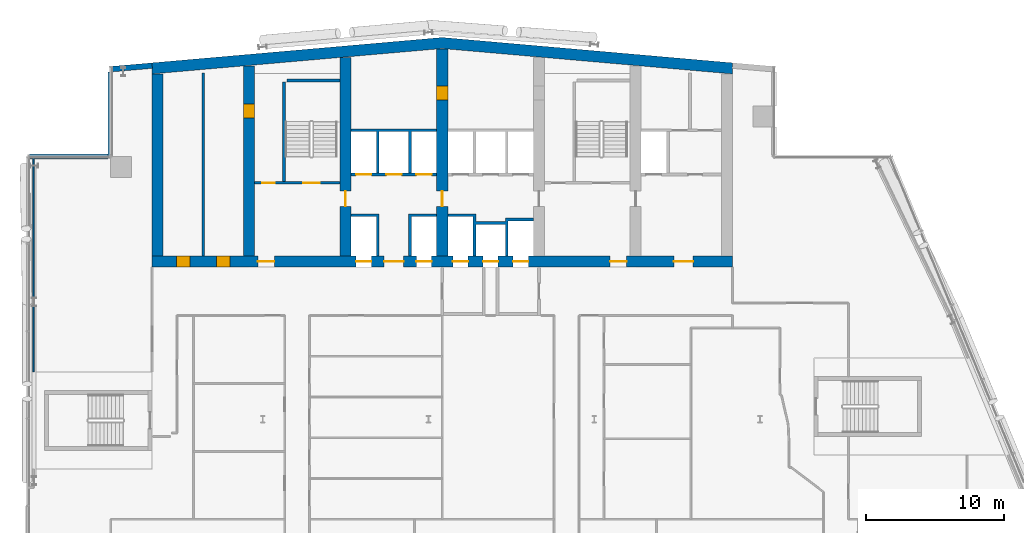
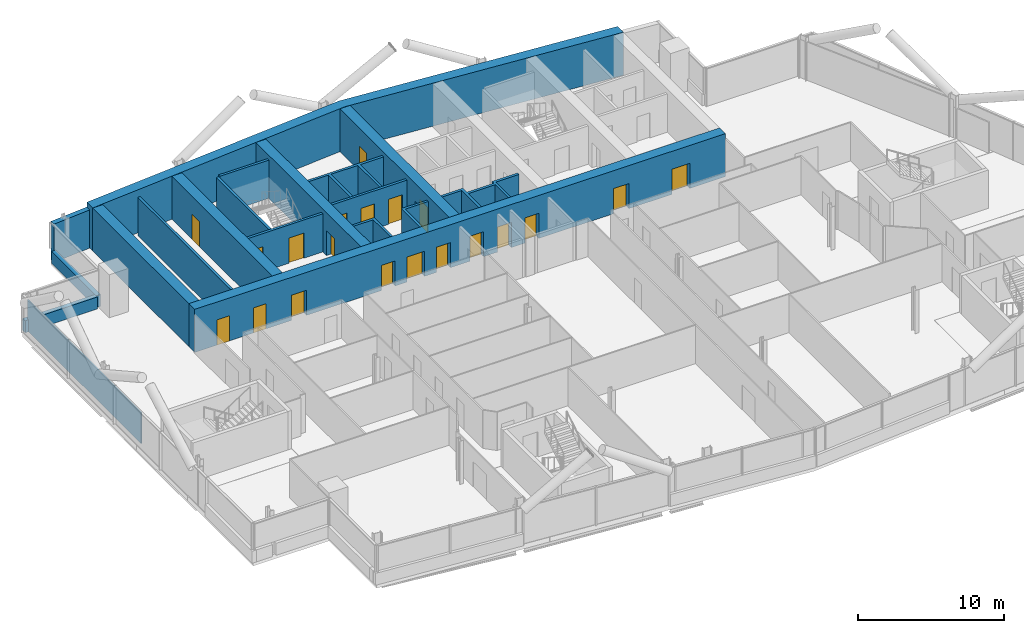
# One storey, part 18 of 26: 20 doors, 19 walls, 20 openings.
"""IFC4 building model written with IfcOpenShell, lengths in metres."""

from ifc_helpers import new_model, si_unit, direction, frame, frame_2d, origin, place, context, subcontext, project, spatial, polyline, rectangle, outline, extrude, material, layer, layer_set, type_object, element, fill, save


model = new_model("IFC4")

# Units and contexts
model_context = context("Model", 3, precision=1e-05, world=origin(), true_north=direction((0.0, 1.0)))
body_context = subcontext(model_context, "Body", "Model", "MODEL_VIEW")
ifc_project = project(units=[si_unit("LENGTHUNIT", "METRE"), si_unit("AREAUNIT", "SQUARE_METRE"), si_unit("VOLUMEUNIT", "CUBIC_METRE"), si_unit("PLANEANGLEUNIT", "RADIAN"), si_unit("MASSUNIT", "GRAM", prefix="KILO")], contexts=[model_context])

# Site, building, storey
site_placement = place(None, origin())
site = spatial("IfcSite", under=ifc_project, at=site_placement, CompositionType="ELEMENT")
building_placement = place(site_placement, origin())
building = spatial("IfcBuilding", under=site, at=building_placement, Name="Wharfspan Tower", CompositionType="ELEMENT")
storey_placement = place(building_placement, frame((0.0, 0.0, 169.899902)))
storey = spatial("IfcBuildingStorey", under=building, at=storey_placement, Name="L41", CompositionType="ELEMENT", Elevation=169.899902)

# Walls
ifc_material_1 = material(Name="Calcium silicate masonry", Category="masonry")
ifc_layer_1 = layer(ifc_material_1, 0.199951)
ifc_layer_set_1 = layer_set([ifc_layer_1], Name="Calcium silicate masonry")
wall_type_1 = type_object("IfcWallType", Name="Core room wall 200", PredefinedType="PARTITIONING", material=ifc_layer_set_1)
wall_1_placement = place(storey_placement, frame((19.699951, 34.800049, 0.0), z_axis=(0.0, 0.0, 1.0), x_axis=(0.0, 1.0, 0.0)))
element("IfcWall", 1, at=wall_1_placement, inside=storey, type_object=wall_type_1, Name="sw:L41:RM1", PredefinedType="PARTITIONING", context=body_context, shape_type="SweptSolid", body=[
    extrude(rectangle(XDim=13.234131, YDim=0.199951, at=frame_2d((6.617188, 0.0))), origin(), (0.0, 0.0, 1.0), 3.200195),
])
ifc_material_2 = material(Name="Concrete C60/75", Category="concrete")
ifc_layer_2 = layer(ifc_material_2, 0.800049)
ifc_layer_set_2 = layer_set([ifc_layer_2], Name="Concrete C60/75")
wall_type_2 = type_object("IfcWallType", Name="Core wall 800 C60/75", PredefinedType="SHEAR", material=ifc_layer_set_2)
wall_2_placement = place(storey_placement, origin())
element("IfcWall", 2, at=wall_2_placement, inside=storey, type_object=wall_type_2, Name="Core rear wall L41", PredefinedType="SHEAR", context=body_context, shape_type="SweptSolid", body=[
    extrude(outline(polyline([(16.0, 47.984375), (37.0, 49.821533), (58.0, 47.984375), (58.0, 48.787354), (37.0, 50.624756), (16.0, 48.787354), (16.0, 47.984375)])), origin(), (0.0, 0.0, 1.0), 3.600098),
])

# Wall, openings, doors
wall_3_placement = place(storey_placement, frame((16.0, 34.399902, 0.0), z_axis=(0.0, 0.0, 1.0), x_axis=(1.0, 0.0, 0.0)))
wall_3 = element("IfcWall", 3, at=wall_3_placement, inside=storey, type_object=wall_type_2, Name="Core front wall L41", PredefinedType="SHEAR", context=body_context, shape_type="SweptSolid", body=[
    extrude(rectangle(XDim=42.0, YDim=0.800049, at=frame_2d((21.0, 0.0))), origin(), (0.0, 0.0, 1.0), 3.600098),
])
opening_1_placement = place(wall_3_placement, frame((1.75, 0.0, 0.0)))
opening_1 = element("IfcOpeningElement", 4, at=opening_1_placement, cuts=wall_3, Name="Opening CD41.11", PredefinedType="OPENING", context=body_context, shape_type="SweptSolid", body=[
    extrude(rectangle(XDim=1.0, YDim=2.100098, at=frame_2d((0.5, 1.050049))), frame((0.0, 0.409912, 0.0), z_axis=(0.0, -1.0, 0.0), x_axis=(1.0, 0.0, 0.0)), (0.0, 0.0, 1.0), 0.820068),
])
opening_2_placement = place(wall_3_placement, frame((4.649902, 0.0, 0.0)))
opening_2 = element("IfcOpeningElement", 5, at=opening_2_placement, cuts=wall_3, Name="Opening CD41.12", PredefinedType="OPENING", context=body_context, shape_type="SweptSolid", body=[
    extrude(rectangle(XDim=1.0, YDim=2.100098, at=frame_2d((0.5, 1.050049))), frame((0.0, 0.409912, 0.0), z_axis=(0.0, -1.0, 0.0), x_axis=(1.0, 0.0, 0.0)), (0.0, 0.0, 1.0), 0.820068),
])
opening_3_placement = place(wall_3_placement, frame((7.649902, 0.0, 0.0)))
opening_3 = element("IfcOpeningElement", 6, at=opening_3_placement, cuts=wall_3, Name="Opening SV2.L41", PredefinedType="OPENING", context=body_context, shape_type="SweptSolid", body=[
    extrude(rectangle(XDim=1.199951, YDim=2.100098, at=frame_2d((0.600098, 1.050049))), frame((0.0, 0.409912, 0.0), z_axis=(0.0, -1.0, 0.0), x_axis=(1.0, 0.0, 0.0)), (0.0, 0.0, 1.0), 0.820068),
])
opening_4_placement = place(wall_3_placement, frame((14.766602, 0.0, 0.0)))
opening_4 = element("IfcOpeningElement", 7, at=opening_4_placement, cuts=wall_3, Name="Opening LD.SL1.L41", PredefinedType="OPENING", context=body_context, shape_type="SweptSolid", body=[
    extrude(rectangle(XDim=1.100098, YDim=2.100098, at=frame_2d((0.550049, 1.050049))), frame((0.0, 0.409912, 0.0), z_axis=(0.0, -1.0, 0.0), x_axis=(1.0, 0.0, 0.0)), (0.0, 0.0, 1.0), 0.820068),
])
opening_5_placement = place(wall_3_placement, frame((19.133301, 0.0, 0.0)))
opening_5 = element("IfcOpeningElement", 8, at=opening_5_placement, cuts=wall_3, Name="Opening LD.SL2.L41", PredefinedType="OPENING", context=body_context, shape_type="SweptSolid", body=[
    extrude(rectangle(XDim=1.100098, YDim=2.100098, at=frame_2d((0.550049, 1.050049))), frame((0.0, 0.409912, 0.0), z_axis=(0.0, -1.0, 0.0), x_axis=(1.0, 0.0, 0.0)), (0.0, 0.0, 1.0), 0.820068),
])
opening_6_placement = place(wall_3_placement, frame((16.800049, 0.0, 0.0)))
opening_6 = element("IfcOpeningElement", 9, at=opening_6_placement, cuts=wall_3, Name="Opening HD41.3", PredefinedType="OPENING", context=body_context, shape_type="SweptSolid", body=[
    extrude(rectangle(XDim=1.399902, YDim=2.100098, at=frame_2d((0.699951, 1.050049))), frame((0.0, 0.409912, 0.0), z_axis=(0.0, -1.0, 0.0), x_axis=(1.0, 0.0, 0.0)), (0.0, 0.0, 1.0), 0.820068),
])
opening_7_placement = place(wall_3_placement, frame((21.766602, 0.0, 0.0)))
opening_7 = element("IfcOpeningElement", 10, at=opening_7_placement, cuts=wall_3, Name="Opening LD.FF1.L41", PredefinedType="OPENING", context=body_context, shape_type="SweptSolid", body=[
    extrude(rectangle(XDim=1.100098, YDim=2.100098, at=frame_2d((0.550049, 1.050049))), frame((0.0, 0.409912, 0.0), z_axis=(0.0, -1.0, 0.0), x_axis=(1.0, 0.0, 0.0)), (0.0, 0.0, 1.0), 0.820068),
])
opening_8_placement = place(wall_3_placement, frame((23.949951, 0.0, 0.0)))
opening_8 = element("IfcOpeningElement", 11, at=opening_8_placement, cuts=wall_3, Name="Opening LD.LB7.L41", PredefinedType="OPENING", context=body_context, shape_type="SweptSolid", body=[
    extrude(rectangle(XDim=1.100098, YDim=2.100098, at=frame_2d((0.550049, 1.050049))), frame((0.0, 0.409912, 0.0), z_axis=(0.0, -1.0, 0.0), x_axis=(1.0, 0.0, 0.0)), (0.0, 0.0, 1.0), 0.820068),
])
opening_9_placement = place(wall_3_placement, frame((26.133301, 0.0, 0.0)))
opening_9 = element("IfcOpeningElement", 12, at=opening_9_placement, cuts=wall_3, Name="Opening LD.FF2.L41", PredefinedType="OPENING", context=body_context, shape_type="SweptSolid", body=[
    extrude(rectangle(XDim=1.100098, YDim=2.100098, at=frame_2d((0.550049, 1.050049))), frame((0.0, 0.409912, 0.0), z_axis=(0.0, -1.0, 0.0), x_axis=(1.0, 0.0, 0.0)), (0.0, 0.0, 1.0), 0.820068),
])
opening_10_placement = place(wall_3_placement, frame((33.149902, 0.0, 0.0)))
opening_10 = element("IfcOpeningElement", 13, at=opening_10_placement, cuts=wall_3, Name="Opening SV5.L41", PredefinedType="OPENING", context=body_context, shape_type="SweptSolid", body=[
    extrude(rectangle(XDim=1.199951, YDim=2.100098, at=frame_2d((0.600098, 1.050049))), frame((0.0, 0.409912, 0.0), z_axis=(0.0, -1.0, 0.0), x_axis=(1.0, 0.0, 0.0)), (0.0, 0.0, 1.0), 0.820068),
])
opening_11_placement = place(wall_3_placement, frame((37.766602, 0.0, 0.0)))
opening_11 = element("IfcOpeningElement", 14, at=opening_11_placement, cuts=wall_3, Name="Opening HD41.6", PredefinedType="OPENING", context=body_context, shape_type="SweptSolid", body=[
    extrude(rectangle(XDim=1.399902, YDim=2.100098, at=frame_2d((0.699951, 1.050049))), frame((0.0, 0.409912, 0.0), z_axis=(0.0, -1.0, 0.0), x_axis=(1.0, 0.0, 0.0)), (0.0, 0.0, 1.0), 0.820068),
])
ifc_material_3 = material(Name="Steel door leaf", Category="steel")
door_type_1 = type_object("IfcDoorType", Name="Core room door 1000x2100", OperationType="SINGLE_SWING_LEFT", PredefinedType="DOOR", material=ifc_material_3)
door_1_placement = place(opening_1_placement, origin())
door_1 = element("IfcDoor", 15, at=door_1_placement, inside=storey, type_object=door_type_1, Name="d:L41:1:rf", OperationType="SINGLE_SWING_LEFT", OverallHeight=2.100098, OverallWidth=1.0, PredefinedType="DOOR", context=body_context, shape_type="SweptSolid", body=[
    extrude(rectangle(XDim=1.0, YDim=2.100098, at=frame_2d((0.5, 1.050049))), frame((0.0, 0.399902, 0.0), z_axis=(0.0, -1.0, 0.0), x_axis=(1.0, 0.0, 0.0)), (0.0, 0.0, 1.0), 0.799561),
])
fill(opening_1, door_1)
door_2_placement = place(opening_2_placement, origin())
door_2 = element("IfcDoor", 16, at=door_2_placement, inside=storey, type_object=door_type_1, Name="d:L41:1:rr", OperationType="SINGLE_SWING_RIGHT", OverallHeight=2.100098, OverallWidth=1.0, PredefinedType="DOOR", context=body_context, shape_type="SweptSolid", body=[
    extrude(rectangle(XDim=1.0, YDim=2.100098, at=frame_2d((0.5, 1.050049))), frame((0.0, 0.399902, 0.0), z_axis=(0.0, -1.0, 0.0), x_axis=(1.0, 0.0, 0.0)), (0.0, 0.0, 1.0), 0.799561),
])
fill(opening_2, door_2)
door_type_2 = type_object("IfcDoorType", Name="Hall entry door 1400x2100", OperationType="DOUBLE_DOOR_SINGLE_SWING", PredefinedType="DOOR", material=ifc_material_3)
door_3_placement = place(opening_6_placement, origin())
door_3 = element("IfcDoor", 17, at=door_3_placement, inside=storey, type_object=door_type_2, Name="d:L41:3:hd3", OperationType="DOUBLE_DOOR_SINGLE_SWING", OverallHeight=2.100098, OverallWidth=1.399902, PredefinedType="DOOR", context=body_context, shape_type="SweptSolid", body=[
    extrude(rectangle(XDim=1.399902, YDim=2.100098, at=frame_2d((0.699951, 1.050049))), frame((0.0, 0.024902, 0.0), z_axis=(0.0, -1.0, 0.0), x_axis=(1.0, 0.0, 0.0)), (0.0, 0.0, 1.0), 0.050049),
])
fill(opening_6, door_3)
door_4_placement = place(opening_11_placement, origin())
door_4 = element("IfcDoor", 18, at=door_4_placement, inside=storey, type_object=door_type_2, Name="d:L41:6:hd6", OperationType="DOUBLE_DOOR_SINGLE_SWING", OverallHeight=2.100098, OverallWidth=1.399902, PredefinedType="DOOR", context=body_context, shape_type="SweptSolid", body=[
    extrude(rectangle(XDim=1.399902, YDim=2.100098, at=frame_2d((0.699951, 1.050049))), frame((0.0, 0.024902, 0.0), z_axis=(0.0, -1.0, 0.0), x_axis=(1.0, 0.0, 0.0)), (0.0, 0.0, 1.0), 0.050049),
])
fill(opening_11, door_4)
ifc_material_4 = material(Name="Stainless steel", Category="steel")
door_type_3 = type_object("IfcDoorType", Name="Lift landing door 1100x2100", OperationType="DOUBLE_DOOR_SLIDING", PredefinedType="DOOR", material=ifc_material_4)
door_5_placement = place(opening_4_placement, origin())
door_5 = element("IfcDoor", 19, at=door_5_placement, inside=storey, type_object=door_type_3, Name="Landing door SL1 L41", OperationType="DOUBLE_DOOR_SLIDING", OverallHeight=2.100098, OverallWidth=1.100098, PredefinedType="DOOR", context=body_context, shape_type="SweptSolid", body=[
    extrude(rectangle(XDim=1.100098, YDim=2.100098, at=frame_2d((0.550049, 1.050049))), frame((0.0, 0.024902, 0.0), z_axis=(0.0, -1.0, 0.0), x_axis=(1.0, 0.0, 0.0)), (0.0, 0.0, 1.0), 0.050049),
])
fill(opening_4, door_5)
door_6_placement = place(opening_5_placement, origin())
door_6 = element("IfcDoor", 20, at=door_6_placement, inside=storey, type_object=door_type_3, Name="Landing door SL2 L41", OperationType="DOUBLE_DOOR_SLIDING", OverallHeight=2.100098, OverallWidth=1.100098, PredefinedType="DOOR", context=body_context, shape_type="SweptSolid", body=[
    extrude(rectangle(XDim=1.100098, YDim=2.100098, at=frame_2d((0.550049, 1.050049))), frame((0.0, 0.024902, 0.0), z_axis=(0.0, -1.0, 0.0), x_axis=(1.0, 0.0, 0.0)), (0.0, 0.0, 1.0), 0.050049),
])
fill(opening_5, door_6)
door_7_placement = place(opening_7_placement, origin())
door_7 = element("IfcDoor", 21, at=door_7_placement, inside=storey, type_object=door_type_3, Name="Landing door FF1 L41", OperationType="DOUBLE_DOOR_SLIDING", OverallHeight=2.100098, OverallWidth=1.100098, PredefinedType="DOOR", context=body_context, shape_type="SweptSolid", body=[
    extrude(rectangle(XDim=1.100098, YDim=2.100098, at=frame_2d((0.550049, 1.050049))), frame((0.0, 0.024902, 0.0), z_axis=(0.0, -1.0, 0.0), x_axis=(1.0, 0.0, 0.0)), (0.0, 0.0, 1.0), 0.050049),
])
fill(opening_7, door_7)
door_8_placement = place(opening_8_placement, origin())
door_8 = element("IfcDoor", 22, at=door_8_placement, inside=storey, type_object=door_type_3, Name="Landing door LB7 L41", OperationType="DOUBLE_DOOR_SLIDING", OverallHeight=2.100098, OverallWidth=1.100098, PredefinedType="DOOR", context=body_context, shape_type="SweptSolid", body=[
    extrude(rectangle(XDim=1.100098, YDim=2.100098, at=frame_2d((0.550049, 1.050049))), frame((0.0, 0.024902, 0.0), z_axis=(0.0, -1.0, 0.0), x_axis=(1.0, 0.0, 0.0)), (0.0, 0.0, 1.0), 0.050049),
])
fill(opening_8, door_8)
door_9_placement = place(opening_9_placement, origin())
door_9 = element("IfcDoor", 23, at=door_9_placement, inside=storey, type_object=door_type_3, Name="Landing door FF2 L41", OperationType="DOUBLE_DOOR_SLIDING", OverallHeight=2.100098, OverallWidth=1.100098, PredefinedType="DOOR", context=body_context, shape_type="SweptSolid", body=[
    extrude(rectangle(XDim=1.100098, YDim=2.100098, at=frame_2d((0.550049, 1.050049))), frame((0.0, 0.024902, 0.0), z_axis=(0.0, -1.0, 0.0), x_axis=(1.0, 0.0, 0.0)), (0.0, 0.0, 1.0), 0.050049),
])
fill(opening_9, door_9)
door_type_4 = type_object("IfcDoorType", Name="Stair door 1200x2100", OperationType="SINGLE_SWING_LEFT", PredefinedType="DOOR", material=ifc_material_3)
door_10_placement = place(opening_3_placement, origin())
door_10 = element("IfcDoor", 24, at=door_10_placement, inside=storey, type_object=door_type_4, Name="vd:L41:2", OperationType="SINGLE_SWING_LEFT", OverallHeight=2.100098, OverallWidth=1.199951, PredefinedType="DOOR", context=body_context, shape_type="SweptSolid", body=[
    extrude(rectangle(XDim=1.199951, YDim=2.100098, at=frame_2d((0.600098, 1.050049))), frame((0.0, 0.024902, 0.0), z_axis=(0.0, -1.0, 0.0), x_axis=(1.0, 0.0, 0.0)), (0.0, 0.0, 1.0), 0.050049),
])
fill(opening_3, door_10)
door_11_placement = place(opening_10_placement, origin())
door_11 = element("IfcDoor", 25, at=door_11_placement, inside=storey, type_object=door_type_4, Name="vd:L41:5", OperationType="SINGLE_SWING_LEFT", OverallHeight=2.100098, OverallWidth=1.199951, PredefinedType="DOOR", context=body_context, shape_type="SweptSolid", body=[
    extrude(rectangle(XDim=1.199951, YDim=2.100098, at=frame_2d((0.600098, 1.050049))), frame((0.0, 0.024902, 0.0), z_axis=(0.0, -1.0, 0.0), x_axis=(1.0, 0.0, 0.0)), (0.0, 0.0, 1.0), 0.050049),
])
fill(opening_10, door_11)

# Wall
wall_4_placement = place(storey_placement, frame((16.399902, 34.800049, 0.0), z_axis=(0.0, 0.0, 1.0), x_axis=(0.0, 1.0, 0.0)))
element("IfcWall", 26, at=wall_4_placement, inside=storey, type_object=wall_type_2, Name="Core cross wall EW0 L41", PredefinedType="SHEAR", context=body_context, shape_type="SweptSolid", body=[
    extrude(rectangle(XDim=13.184326, YDim=0.800049, at=frame_2d((6.592285, 0.0))), origin(), (0.0, 0.0, 1.0), 3.600098),
])

# Wall, opening, door
wall_5_placement = place(storey_placement, frame((23.0, 34.800049, 0.0), z_axis=(0.0, 0.0, 1.0), x_axis=(0.0, 1.0, 0.0)))
wall_5 = element("IfcWall", 27, at=wall_5_placement, inside=storey, type_object=wall_type_2, Name="Core cross wall X2 L41", PredefinedType="SHEAR", context=body_context, shape_type="SweptSolid", body=[
    extrude(rectangle(XDim=13.761719, YDim=0.800049, at=frame_2d((6.880859, 0.0))), origin(), (0.0, 0.0, 1.0), 3.600098),
])
opening_12_placement = place(wall_5_placement, frame((10.0, 0.0, 0.0)))
opening_12 = element("IfcOpeningElement", 28, at=opening_12_placement, cuts=wall_5, Name="Opening CR41.2", PredefinedType="OPENING", context=body_context, shape_type="SweptSolid", body=[
    extrude(rectangle(XDim=1.0, YDim=2.100098, at=frame_2d((0.5, 1.050049))), frame((0.0, 0.409912, 0.0), z_axis=(0.0, -1.0, 0.0), x_axis=(1.0, 0.0, 0.0)), (0.0, 0.0, 1.0), 0.820068),
])
door_12_placement = place(opening_12_placement, origin())
door_12 = element("IfcDoor", 29, at=door_12_placement, inside=storey, type_object=door_type_1, Name="xr:L41:2", OperationType="SINGLE_SWING_RIGHT", OverallHeight=2.100098, OverallWidth=1.0, PredefinedType="DOOR", context=body_context, shape_type="SweptSolid", body=[
    extrude(rectangle(XDim=1.0, YDim=2.100098, at=frame_2d((0.5, 1.050049))), frame((0.0, 0.399902, 0.0), z_axis=(0.0, -1.0, 0.0), x_axis=(1.0, 0.0, 0.0)), (0.0, 0.0, 1.0), 0.799561),
])
fill(opening_12, door_12)

wall_6_placement = place(storey_placement, frame((30.0, 34.800049, 0.0), z_axis=(0.0, 0.0, 1.0), x_axis=(0.0, 1.0, 0.0)))
wall_6 = element("IfcWall", 30, at=wall_6_placement, inside=storey, type_object=wall_type_2, Name="Core cross wall X3 L41", PredefinedType="SHEAR", context=body_context, shape_type="SweptSolid", body=[
    extrude(rectangle(XDim=14.374023, YDim=0.800049, at=frame_2d((7.187012, 0.0))), origin(), (0.0, 0.0, 1.0), 3.600098),
])
opening_13_placement = place(wall_6_placement, frame((3.600098, 0.0, 0.0)))
opening_13 = element("IfcOpeningElement", 31, at=opening_13_placement, cuts=wall_6, Name="Opening CC41.3", PredefinedType="OPENING", context=body_context, shape_type="SweptSolid", body=[
    extrude(rectangle(XDim=1.100098, YDim=2.100098, at=frame_2d((0.550049, 1.050049))), frame((0.0, 0.409912, 0.0), z_axis=(0.0, -1.0, 0.0), x_axis=(1.0, 0.0, 0.0)), (0.0, 0.0, 1.0), 0.820068),
])
door_type_5 = type_object("IfcDoorType", Name="Core corridor door 1100x2100", OperationType="SINGLE_SWING_LEFT", PredefinedType="DOOR", material=ifc_material_3)
door_13_placement = place(opening_13_placement, origin())
door_13 = element("IfcDoor", 32, at=door_13_placement, inside=storey, type_object=door_type_5, Name="xd:L41:3", OperationType="SINGLE_SWING_LEFT", OverallHeight=2.100098, OverallWidth=1.100098, PredefinedType="DOOR", context=body_context, shape_type="SweptSolid", body=[
    extrude(rectangle(XDim=1.100098, YDim=2.100098, at=frame_2d((0.550049, 1.050049))), frame((0.0, 0.024902, 0.0), z_axis=(0.0, -1.0, 0.0), x_axis=(1.0, 0.0, 0.0)), (0.0, 0.0, 1.0), 0.050049),
])
fill(opening_13, door_13)

# Wall, openings, doors
wall_7_placement = place(storey_placement, frame((37.0, 34.800049, 0.0), z_axis=(0.0, 0.0, 1.0), x_axis=(0.0, 1.0, 0.0)))
wall_7 = element("IfcWall", 33, at=wall_7_placement, inside=storey, type_object=wall_type_2, Name="Core cross wall X4 L41", PredefinedType="SHEAR", context=body_context, shape_type="SweptSolid", body=[
    extrude(rectangle(XDim=14.986572, YDim=0.800049, at=frame_2d((7.493164, 0.0))), origin(), (0.0, 0.0, 1.0), 3.600098),
])
opening_14_placement = place(wall_7_placement, frame((11.312012, 0.0, 0.0)))
opening_14 = element("IfcOpeningElement", 34, at=opening_14_placement, cuts=wall_7, Name="Opening CD41.3X", PredefinedType="OPENING", context=body_context, shape_type="SweptSolid", body=[
    extrude(rectangle(XDim=1.0, YDim=2.100098, at=frame_2d((0.5, 1.050049))), frame((0.0, 0.409912, 0.0), z_axis=(0.0, -1.0, 0.0), x_axis=(1.0, 0.0, 0.0)), (0.0, 0.0, 1.0), 0.820068),
])
opening_15_placement = place(wall_7_placement, frame((3.600098, 0.0, 0.0)))
opening_15 = element("IfcOpeningElement", 35, at=opening_15_placement, cuts=wall_7, Name="Opening CC41.4", PredefinedType="OPENING", context=body_context, shape_type="SweptSolid", body=[
    extrude(rectangle(XDim=1.100098, YDim=2.100098, at=frame_2d((0.550049, 1.050049))), frame((0.0, 0.409912, 0.0), z_axis=(0.0, -1.0, 0.0), x_axis=(1.0, 0.0, 0.0)), (0.0, 0.0, 1.0), 0.820068),
])
door_14_placement = place(opening_15_placement, origin())
door_14 = element("IfcDoor", 36, at=door_14_placement, inside=storey, type_object=door_type_5, Name="xd:L41:4", OperationType="SINGLE_SWING_RIGHT", OverallHeight=2.100098, OverallWidth=1.100098, PredefinedType="DOOR", context=body_context, shape_type="SweptSolid", body=[
    extrude(rectangle(XDim=1.100098, YDim=2.100098, at=frame_2d((0.550049, 1.050049))), frame((0.0, 0.024902, 0.0), z_axis=(0.0, -1.0, 0.0), x_axis=(1.0, 0.0, 0.0)), (0.0, 0.0, 1.0), 0.050049),
])
fill(opening_15, door_14)
door_15_placement = place(opening_14_placement, origin())
door_15 = element("IfcDoor", 37, at=door_15_placement, inside=storey, type_object=door_type_1, Name="d:L41:3:sx", OperationType="SINGLE_SWING_LEFT", OverallHeight=2.100098, OverallWidth=1.0, PredefinedType="DOOR", context=body_context, shape_type="SweptSolid", body=[
    extrude(rectangle(XDim=1.0, YDim=2.100098, at=frame_2d((0.5, 1.050049))), frame((0.0, 0.399902, 0.0), z_axis=(0.0, -1.0, 0.0), x_axis=(1.0, 0.0, 0.0)), (0.0, 0.0, 1.0), 0.799561),
])
fill(opening_14, door_15)

ifc_material_5 = material(Name="Concrete C30/37", Category="concrete")
ifc_layer_3 = layer(ifc_material_5, 0.199951)
ifc_layer_set_3 = layer_set([ifc_layer_3], Name="Concrete C30/37")
wall_type_3 = type_object("IfcWallType", Name="Lift shaft wall 200", PredefinedType="PARTITIONING", material=ifc_layer_set_3)
wall_8_placement = place(storey_placement, frame((30.399902, 40.699951, 0.0), z_axis=(0.0, 0.0, 1.0), x_axis=(1.0, 0.0, 0.0)))
wall_8 = element("IfcWall", 38, at=wall_8_placement, inside=storey, type_object=wall_type_3, Name="sw:L41:RF3", PredefinedType="PARTITIONING", context=body_context, shape_type="SweptSolid", body=[
    extrude(rectangle(XDim=6.200195, YDim=0.199951, at=frame_2d((3.100098, 0.0))), origin(), (0.0, 0.0, 1.0), 3.200195),
])
opening_16_placement = place(wall_8_placement, frame((0.366699, 0.0, 0.0)))
opening_16 = element("IfcOpeningElement", 39, at=opening_16_placement, cuts=wall_8, Name="Opening LD.LB1.L41", PredefinedType="OPENING", context=body_context, shape_type="SweptSolid", body=[
    extrude(rectangle(XDim=1.100098, YDim=2.100098, at=frame_2d((0.550049, 1.050049))), frame((0.0, 0.109863, 0.0), z_axis=(0.0, -1.0, 0.0), x_axis=(1.0, 0.0, 0.0)), (0.0, 0.0, 1.0), 0.219971),
])
opening_17_placement = place(wall_8_placement, frame((2.550049, 0.0, 0.0)))
opening_17 = element("IfcOpeningElement", 40, at=opening_17_placement, cuts=wall_8, Name="Opening LD.LB2.L41", PredefinedType="OPENING", context=body_context, shape_type="SweptSolid", body=[
    extrude(rectangle(XDim=1.100098, YDim=2.100098, at=frame_2d((0.550049, 1.050049))), frame((0.0, 0.109863, 0.0), z_axis=(0.0, -1.0, 0.0), x_axis=(1.0, 0.0, 0.0)), (0.0, 0.0, 1.0), 0.219971),
])
opening_18_placement = place(wall_8_placement, frame((4.733398, 0.0, 0.0)))
opening_18 = element("IfcOpeningElement", 41, at=opening_18_placement, cuts=wall_8, Name="Opening LD.LB3.L41", PredefinedType="OPENING", context=body_context, shape_type="SweptSolid", body=[
    extrude(rectangle(XDim=1.100098, YDim=2.100098, at=frame_2d((0.550049, 1.050049))), frame((0.0, 0.109863, 0.0), z_axis=(0.0, -1.0, 0.0), x_axis=(1.0, 0.0, 0.0)), (0.0, 0.0, 1.0), 0.219971),
])
door_16_placement = place(opening_16_placement, origin())
door_16 = element("IfcDoor", 42, at=door_16_placement, inside=storey, type_object=door_type_3, Name="Landing door LB1 L41", OperationType="DOUBLE_DOOR_SLIDING", OverallHeight=2.100098, OverallWidth=1.100098, PredefinedType="DOOR", context=body_context, shape_type="SweptSolid", body=[
    extrude(rectangle(XDim=1.100098, YDim=2.100098, at=frame_2d((0.550049, 1.050049))), frame((0.0, 0.024902, 0.0), z_axis=(0.0, -1.0, 0.0), x_axis=(1.0, 0.0, 0.0)), (0.0, 0.0, 1.0), 0.050049),
])
fill(opening_16, door_16)
door_17_placement = place(opening_17_placement, origin())
door_17 = element("IfcDoor", 43, at=door_17_placement, inside=storey, type_object=door_type_3, Name="Landing door LB2 L41", OperationType="DOUBLE_DOOR_SLIDING", OverallHeight=2.100098, OverallWidth=1.100098, PredefinedType="DOOR", context=body_context, shape_type="SweptSolid", body=[
    extrude(rectangle(XDim=1.100098, YDim=2.100098, at=frame_2d((0.550049, 1.050049))), frame((0.0, 0.024902, 0.0), z_axis=(0.0, -1.0, 0.0), x_axis=(1.0, 0.0, 0.0)), (0.0, 0.0, 1.0), 0.050049),
])
fill(opening_17, door_17)
door_18_placement = place(opening_18_placement, origin())
door_18 = element("IfcDoor", 44, at=door_18_placement, inside=storey, type_object=door_type_3, Name="Landing door LB3 L41", OperationType="DOUBLE_DOOR_SLIDING", OverallHeight=2.100098, OverallWidth=1.100098, PredefinedType="DOOR", context=body_context, shape_type="SweptSolid", body=[
    extrude(rectangle(XDim=1.100098, YDim=2.100098, at=frame_2d((0.550049, 1.050049))), frame((0.0, 0.024902, 0.0), z_axis=(0.0, -1.0, 0.0), x_axis=(1.0, 0.0, 0.0)), (0.0, 0.0, 1.0), 0.050049),
])
fill(opening_18, door_18)

# Walls
wall_9_placement = place(storey_placement, origin())
element("IfcWall", 45, at=wall_9_placement, inside=storey, type_object=wall_type_3, Name="sw:L41:FM3.0", PredefinedType="PARTITIONING", context=body_context, shape_type="SweptSolid", body=[
    extrude(outline(polyline([(32.233398, 37.649902), (30.399902, 37.649902), (30.399902, 37.850098), (32.233398, 37.850098), (32.43335, 37.850098), (32.43335, 34.800049), (32.233398, 34.800049), (32.233398, 37.649902)])), origin(), (0.0, 0.0, 1.0), 3.200195),
])
wall_10_placement = place(storey_placement, origin())
element("IfcWall", 46, at=wall_10_placement, inside=storey, type_object=wall_type_3, Name="sw:L41:FM3.1", PredefinedType="PARTITIONING", context=body_context, shape_type="SweptSolid", body=[
    extrude(outline(polyline([(34.56665, 37.850098), (34.766602, 37.850098), (36.600098, 37.850098), (36.600098, 37.649902), (34.766602, 37.649902), (34.766602, 34.800049), (34.56665, 34.800049), (34.56665, 37.850098)])), origin(), (0.0, 0.0, 1.0), 3.200195),
])
wall_11_placement = place(storey_placement, origin())
element("IfcWall", 47, at=wall_11_placement, inside=storey, type_object=wall_type_3, Name="sw:L41:RM3.0", PredefinedType="PARTITIONING", context=body_context, shape_type="SweptSolid", body=[
    extrude(outline(polyline([(32.43335, 40.800049), (32.233398, 40.800049), (32.233398, 43.800049), (30.399902, 43.800049), (30.399902, 44.0), (36.600098, 44.0), (36.600098, 43.800049), (34.766602, 43.800049), (34.766602, 40.800049), (34.56665, 40.800049), (34.56665, 43.800049), (32.43335, 43.800049), (32.43335, 40.800049)])), origin(), (0.0, 0.0, 1.0), 3.200195),
])
wall_12_placement = place(storey_placement, origin())
element("IfcWall", 48, at=wall_12_placement, inside=storey, type_object=wall_type_3, Name="sw:L41:FM4.0", PredefinedType="PARTITIONING", context=body_context, shape_type="SweptSolid", body=[
    extrude(outline(polyline([(41.56665, 37.100098), (39.43335, 37.100098), (39.43335, 34.800049), (39.233398, 34.800049), (39.233398, 37.649902), (37.399902, 37.649902), (37.399902, 37.850098), (39.233398, 37.850098), (39.43335, 37.850098), (39.43335, 37.300049), (41.56665, 37.300049), (41.56665, 37.550049), (41.766602, 37.550049), (43.600098, 37.550049), (43.600098, 37.350098), (41.766602, 37.350098), (41.766602, 34.800049), (41.56665, 34.800049), (41.56665, 37.100098)])), origin(), (0.0, 0.0, 1.0), 3.200195),
])
ifc_material_6 = material(Name="Gypsum board on steel studs", Category="steel")
ifc_layer_4 = layer(ifc_material_6, 0.100098)
ifc_layer_set_4 = layer_set([ifc_layer_4], Name="Gypsum board on steel studs")
wall_type_4 = type_object("IfcWallType", Name="Partition 100", PredefinedType="PARTITIONING", material=ifc_layer_set_4)
wall_13_placement = place(storey_placement, frame((7.419922, 26.419922, 0.0), z_axis=(0.0, 0.0, 1.0), x_axis=(0.0, 1.0, 0.0)))
element("IfcWall", 49, at=wall_13_placement, inside=storey, type_object=wall_type_4, Name="Partition L41.w003", PredefinedType="PARTITIONING", context=body_context, shape_type="SweptSolid", body=[
    extrude(rectangle(XDim=15.560059, YDim=0.100098, at=frame_2d((7.780029, 0.0))), origin(), (0.0, 0.0, 1.0), 2.580078),
])
ifc_material_7 = material(Name="Concrete C40/50", Category="concrete")
ifc_layer_5 = layer(ifc_material_7, 0.350098)
ifc_layer_set_5 = layer_set([ifc_layer_5], Name="Concrete C40/50")
wall_type_5 = type_object("IfcWallType", Name="SPANDREL EXPOSED CONCRETE 350", PredefinedType="SOLIDWALL", material=ifc_layer_set_5)
wall_14_placement = place(storey_placement, frame((12.995117, 48.126465, 0.0), z_axis=(0.0, 0.0, 1.0), x_axis=(0.0, -1.0, 0.0)))
element("IfcWall", 50, at=wall_14_placement, inside=storey, type_object=wall_type_5, Name="Spandrel upstand L41 NRW-V", PredefinedType="SOLIDWALL", context=body_context, shape_type="SweptSolid", body=[
    extrude(rectangle(XDim=6.126465, YDim=0.350098, at=frame_2d((3.063232, 0.0))), origin(), (0.0, 0.0, 1.0), 1.0),
])
wall_15_placement = place(storey_placement, frame((12.820068, 42.004883, 0.0), z_axis=(0.0, 0.0, 1.0), x_axis=(-1.0, 0.0, 0.0)))
element("IfcWall", 51, at=wall_15_placement, inside=storey, type_object=wall_type_5, Name="Spandrel upstand L41 NRW-H", PredefinedType="SOLIDWALL", context=body_context, shape_type="SweptSolid", body=[
    extrude(rectangle(XDim=5.699951, YDim=0.350098, at=frame_2d((2.850098, 0.0))), origin(), (0.0, 0.0, 1.0), 1.0),
])

# Wall, openings, doors
ifc_layer_6 = layer(ifc_material_7, 0.199951)
ifc_layer_set_6 = layer_set([ifc_layer_6], Name="Concrete C40/50")
wall_type_6 = type_object("IfcWallType", Name="Stair shaft wall 200", PredefinedType="SHEAR", material=ifc_layer_set_6)
wall_16_placement = place(storey_placement, frame((23.399902, 40.100098, 0.0), z_axis=(0.0, 0.0, 1.0), x_axis=(1.0, 0.0, 0.0)))
wall_16 = element("IfcWall", 52, at=wall_16_placement, inside=storey, type_object=wall_type_6, Name="ST1 stair enclosure wall L41", PredefinedType="SHEAR", context=body_context, shape_type="SweptSolid", body=[
    extrude(rectangle(XDim=6.200195, YDim=0.199951, at=frame_2d((3.100098, 0.0))), origin(), (0.0, 0.0, 1.0), 3.200195),
])
opening_19_placement = place(wall_16_placement, frame((3.524902, 0.0, 0.0)))
opening_19 = element("IfcOpeningElement", 53, at=opening_19_placement, cuts=wall_16, Name="Opening SD2.L41", PredefinedType="OPENING", context=body_context, shape_type="SweptSolid", body=[
    extrude(rectangle(XDim=1.199951, YDim=2.100098, at=frame_2d((0.600098, 1.050049))), frame((0.0, 0.109863, 0.0), z_axis=(0.0, -1.0, 0.0), x_axis=(1.0, 0.0, 0.0)), (0.0, 0.0, 1.0), 0.219971),
])
opening_20_placement = place(wall_16_placement, frame((0.574951, 0.0, 0.0)))
opening_20 = element("IfcOpeningElement", 54, at=opening_20_placement, cuts=wall_16, Name="Opening CD41.2R", PredefinedType="OPENING", context=body_context, shape_type="SweptSolid", body=[
    extrude(rectangle(XDim=0.899902, YDim=2.100098, at=frame_2d((0.449951, 1.050049))), frame((0.0, 0.109863, 0.0), z_axis=(0.0, -1.0, 0.0), x_axis=(1.0, 0.0, 0.0)), (0.0, 0.0, 1.0), 0.219971),
])
door_19_placement = place(opening_20_placement, origin())
door_19 = element("IfcDoor", 55, at=door_19_placement, inside=storey, type_object=door_type_1, Name="rk:L41:2", OperationType="SINGLE_SWING_LEFT", OverallHeight=2.100098, OverallWidth=0.899902, PredefinedType="DOOR", context=body_context, shape_type="SweptSolid", body=[
    extrude(rectangle(XDim=0.899902, YDim=2.100098, at=frame_2d((0.449951, 1.050049))), frame((0.0, 0.024902, 0.0), z_axis=(0.0, -1.0, 0.0), x_axis=(1.0, 0.0, 0.0)), (0.0, 0.0, 1.0), 0.050049),
])
fill(opening_20, door_19)
door_20_placement = place(opening_19_placement, origin())
door_20 = element("IfcDoor", 56, at=door_20_placement, inside=storey, type_object=door_type_4, Name="sd:L41:2", OperationType="SINGLE_SWING_RIGHT", OverallHeight=2.100098, OverallWidth=1.199951, PredefinedType="DOOR", context=body_context, shape_type="SweptSolid", body=[
    extrude(rectangle(XDim=1.199951, YDim=2.100098, at=frame_2d((0.600098, 1.050049))), frame((0.0, 0.024902, 0.0), z_axis=(0.0, -1.0, 0.0), x_axis=(1.0, 0.0, 0.0)), (0.0, 0.0, 1.0), 0.050049),
])
fill(opening_19, door_20)

# Walls
wall_17_placement = place(storey_placement, frame((25.550049, 40.199951, 0.0), z_axis=(0.0, 0.0, 1.0), x_axis=(0.0, 1.0, 0.0)))
element("IfcWall", 57, at=wall_17_placement, inside=storey, type_object=wall_type_6, Name="ST1 stair enclosure wall L41", PredefinedType="SHEAR", context=body_context, shape_type="SweptSolid", body=[
    extrude(rectangle(XDim=7.199951, YDim=0.199951, at=frame_2d((3.600098, 0.0))), origin(), (0.0, 0.0, 1.0), 3.200195),
])
wall_18_placement = place(storey_placement, frame((25.75, 47.5, 0.0), z_axis=(0.0, 0.0, 1.0), x_axis=(1.0, 0.0, 0.0)))
element("IfcWall", 58, at=wall_18_placement, inside=storey, type_object=wall_type_6, Name="ST1 stair enclosure wall L41", PredefinedType="SHEAR", context=body_context, shape_type="SweptSolid", body=[
    extrude(rectangle(XDim=3.850098, YDim=0.199951, at=frame_2d((1.925049, 0.0))), origin(), (0.0, 0.0, 1.0), 3.200195),
])
ifc_layer_7 = layer(ifc_material_7, 0.399902)
ifc_layer_set_7 = layer_set([ifc_layer_7], Name="Concrete C40/50")
wall_type_7 = type_object("IfcWallType", Name="WALL EXPOSED CONCRETE 400", PredefinedType="SOLIDWALL", material=ifc_layer_set_7)
wall_19_placement = place(storey_placement, frame((16.0, 48.58667, 0.0), z_axis=(0.0, 0.0, 1.0), x_axis=(-0.996194, -0.087168, 0.0)))
element("IfcWall", 59, at=wall_19_placement, inside=storey, type_object=wall_type_7, Name="Rear wall N1", PredefinedType="SOLIDWALL", context=body_context, shape_type="SweptSolid", body=[
    extrude(rectangle(XDim=2.994141, YDim=0.399902, at=frame_2d((1.49707, 0.0))), origin(), (0.0, 0.0, 1.0), 3.200195),
])

save(model, "model.ifc")
